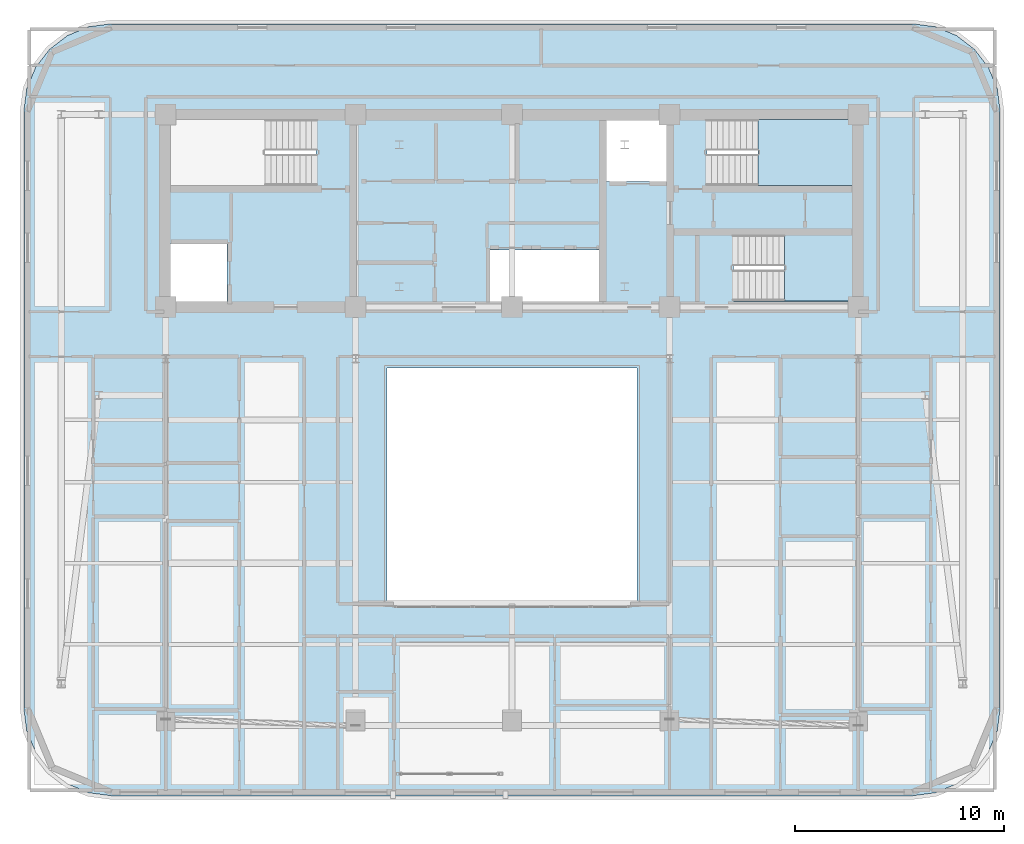
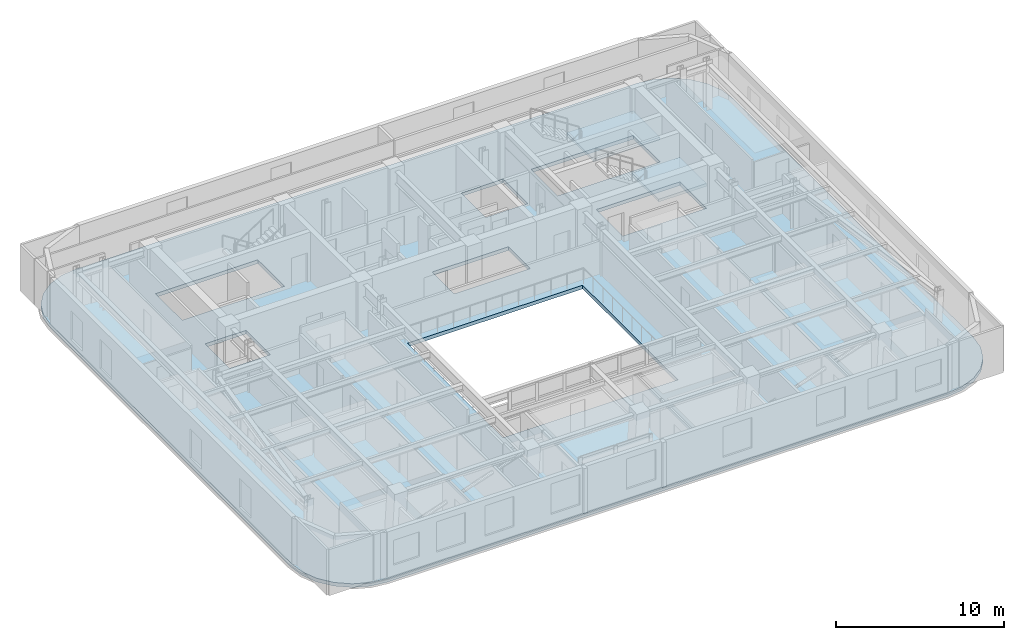
# One storey, part 4 of 15: 3 slabs, 2 elements without a shape of their own.
"""IFC4 building model written with IfcOpenShell, lengths in metres."""

from ifc_helpers import new_model, si_unit, direction, frame, origin, place, context, subcontext, project, spatial, polyline, outline, extrude, material, layer, layer_set, type_object, element, aggregate, save


model = new_model("IFC4")

# Units and contexts
model_context = context("Model", 3, precision=1e-05, world=origin(), true_north=direction((0.0, 1.0)))
body_context = subcontext(model_context, "Body", "Model", "MODEL_VIEW")
ifc_project = project(units=[si_unit("LENGTHUNIT", "METRE"), si_unit("AREAUNIT", "SQUARE_METRE"), si_unit("VOLUMEUNIT", "CUBIC_METRE"), si_unit("PLANEANGLEUNIT", "RADIAN"), si_unit("MASSUNIT", "GRAM", prefix="KILO")], contexts=[model_context])

# Site, building, storey
site_placement = place(None, origin())
site = spatial("IfcSite", under=ifc_project, at=site_placement, CompositionType="ELEMENT")
building_placement = place(site_placement, origin())
building = spatial("IfcBuilding", under=site, at=building_placement, Name="Zarnavel Station Tower", CompositionType="ELEMENT")
storey_placement = place(building_placement, frame((0.0, 0.0, 200.39990234375)))
storey = spatial("IfcBuildingStorey", under=building, at=storey_placement, Name="L54", CompositionType="ELEMENT", Elevation=200.39990234375)

# Slab
ifc_material_1 = material(Name="Concrete C45/55", Category="concrete")
ifc_layer_1 = layer(ifc_material_1, 0.260009765625)
ifc_layer_set_1 = layer_set([ifc_layer_1], Name="SL_FLR_260")
slab_type_1 = type_object("IfcSlabType", Name="SL_FLR_260", PredefinedType="FLOOR", material=ifc_layer_set_1)
slab_1_placement = place(storey_placement, frame((0.0, 0.0, -0.260009765625)))
element("IfcSlab", 1, at=slab_1_placement, inside=storey, type_object=slab_type_1, Name="L54 Structural Floor Slab", PredefinedType="FLOOR", context=body_context, shape_type="SweptSolid", body=[
    extrude(outline(polyline([(48.0, 4.39990234375), (49.0869140625, 4.543212890625), (50.10009765625, 4.962646484375), (50.9697265625, 5.630126953125), (51.63720703125, 6.5), (52.056884765625, 7.512939453125), (52.199951171875, 8.60009765625), (52.199951171875, 37.199951171875), (52.056884765625, 38.287109375), (51.63720703125, 39.300048828125), (50.9697265625, 40.169921875), (50.10009765625, 40.83740234375), (49.0869140625, 41.2568359375), (48.0, 41.39990234375), (9.60009765625, 41.39990234375), (8.512939453125, 41.2568359375), (7.5, 40.83740234375), (6.630126953125, 40.169921875), (5.962646484375, 39.300048828125), (5.543212890625, 38.287109375), (5.39990234375, 37.199951171875), (5.39990234375, 8.60009765625), (5.543212890625, 7.512939453125), (5.962646484375, 6.5), (6.630126953125, 5.630126953125), (7.5, 4.962646484375), (8.512939453125, 4.543212890625), (9.60009765625, 4.39990234375), (48.0, 4.39990234375)]), holes=[polyline([(12.39990234375, 33.659912109375), (19.409912109375, 33.659912109375), (19.409912109375, 36.820068359375), (12.39990234375, 36.820068359375), (12.39990234375, 33.659912109375)]), polyline([(38.14990234375, 33.659912109375), (45.159912109375, 33.659912109375), (45.159912109375, 36.820068359375), (38.14990234375, 36.820068359375), (38.14990234375, 33.659912109375)]), polyline([(39.419921875, 28.1201171875), (45.14990234375, 28.1201171875), (45.14990234375, 31.280029296875), (39.419921875, 31.280029296875), (39.419921875, 28.1201171875)]), polyline([(12.35009765625, 27.949951171875), (15.14990234375, 27.949951171875), (15.14990234375, 30.85009765625), (12.35009765625, 30.85009765625), (12.35009765625, 27.949951171875)]), polyline([(33.320068359375, 33.85009765625), (36.2099609375, 33.85009765625), (36.2099609375, 36.780029296875), (33.320068359375, 36.780029296875), (33.320068359375, 33.85009765625)]), polyline([(27.75, 27.949951171875), (32.97998046875, 27.949951171875), (32.97998046875, 30.550048828125), (27.75, 30.550048828125), (27.75, 27.949951171875)]), polyline([(22.800048828125, 13.60009765625), (34.800048828125, 13.60009765625), (34.800048828125, 24.89990234375), (22.800048828125, 24.89990234375), (22.800048828125, 13.60009765625)])]), origin(), (0.0, 0.0, 1.0), 0.260009765625),
])

# Stair, slab
ifc_material_2 = material(Name="Concrete C45/55", Category="concrete")
stair_type = type_object("IfcStairType", Name="ST_CORE_150", PredefinedType="HALF_TURN_STAIR", material=ifc_material_2)
stair_1_placement = place(storey_placement, origin())
stair_1 = element("IfcStair", 2, at=stair_1_placement, inside=storey, type_object=stair_type, Name="L54 Core Exit Stair ST2", PredefinedType="HALF_TURN_STAIR")
ifc_material_3 = material(Name="Concrete C45/55", Category="concrete")
ifc_layer_2 = layer(ifc_material_3, 0.199951171875)
ifc_layer_set_2 = layer_set([ifc_layer_2], Name="SL_STAIR_LAND_200")
slab_type_2 = type_object("IfcSlabType", Name="SL_STAIR_LAND_200", PredefinedType="LANDING", material=ifc_layer_set_2)
slab_2_placement = place(storey_placement, frame((0.0, 0.0, 1.60009765625)))
slab_2 = element("IfcSlab", 3, at=slab_2_placement, type_object=slab_type_2, Name="ST2 landing 1", PredefinedType="LANDING", context=body_context, shape_type="SweptSolid", body=[
    extrude(outline(polyline([(40.60009765625, 33.659912109375), (45.159912109375, 33.659912109375), (45.159912109375, 36.820068359375), (40.60009765625, 36.820068359375), (40.60009765625, 33.659912109375)])), origin(), (0.0, 0.0, 1.0), 0.199951171875),
])
aggregate(stair_1, [slab_2])

stair_2_placement = place(storey_placement, origin())
stair_2 = element("IfcStair", 4, at=stair_2_placement, inside=storey, type_object=stair_type, Name="L54 Core Exit Stair ST3", PredefinedType="HALF_TURN_STAIR")
slab_3_placement = place(storey_placement, frame((0.0, 0.0, 1.60009765625)))
slab_3 = element("IfcSlab", 5, at=slab_3_placement, type_object=slab_type_2, Name="ST3 landing 1", PredefinedType="LANDING", context=body_context, shape_type="SweptSolid", body=[
    extrude(outline(polyline([(41.8701171875, 28.1201171875), (45.14990234375, 28.1201171875), (45.14990234375, 31.280029296875), (41.8701171875, 31.280029296875), (41.8701171875, 28.1201171875)])), origin(), (0.0, 0.0, 1.0), 0.199951171875),
])
aggregate(stair_2, [slab_3])

save(model, "model.ifc")
